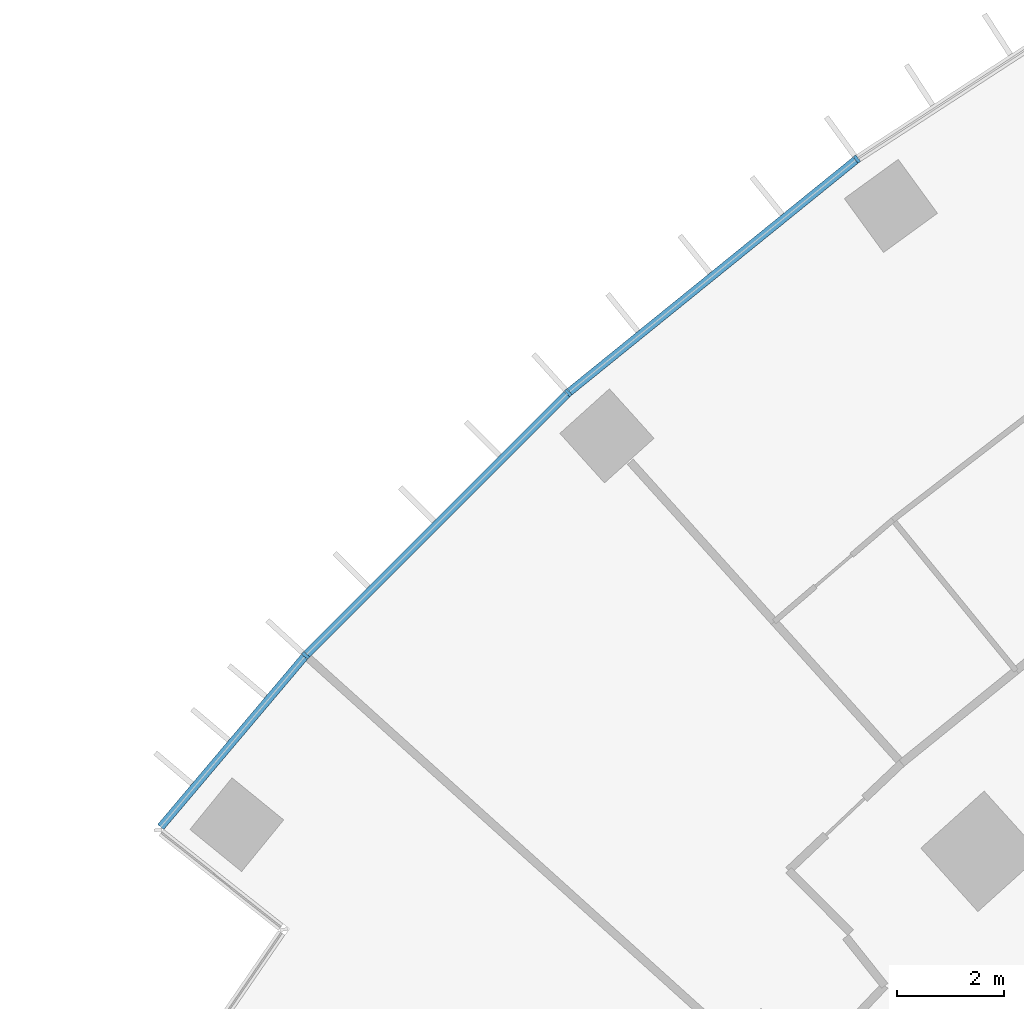
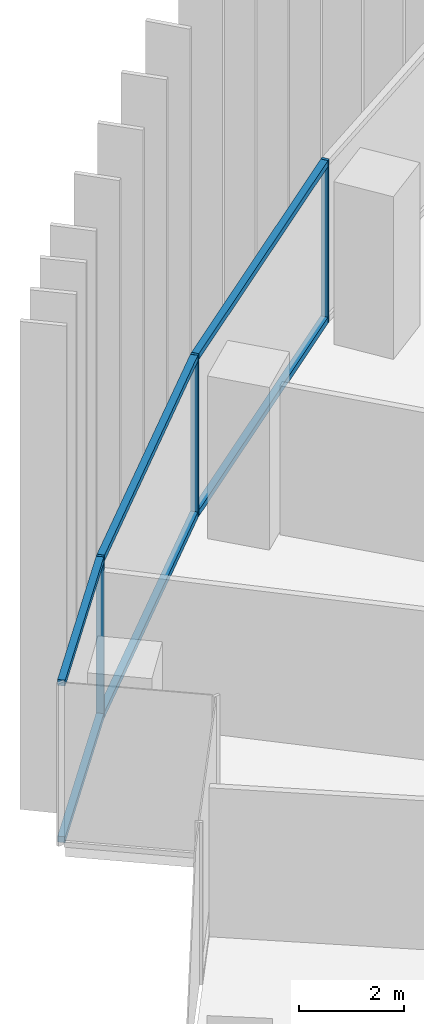
# One storey, part 4 of 24: 9 members, 1 element without a shape of its own.
"""IFC4 building model written with IfcOpenShell, lengths in metres."""

import ifcopenshell
import ifcopenshell.guid

model = None  # the IFC model being written
_history = None  # IfcOwnerHistory: only IFC2X3 demands one
_inside = {}  # id of a spatial element -> (the spatial element, [elements in it])
_under = {}  # id of a project, library or spatial element -> (it, [spatial elements below it])
_declared = {}  # id of a project -> (the project, [libraries it declares])
_typed = {}  # id of a type object -> (the type object, [elements of that type])
_made_of = {}  # id of a material, layer set ... -> (it, [elements and type objects made of it])


def new_model(schema):
    """Start an empty IFC model of exactly this schema.

    Asked for "IFC4X3", IfcOpenShell would pick the latest addendum, in which some entities
    have other attributes; the version numbers below select the first issue.
    IFC2X3 requires an IfcOwnerHistory on every rooted entity: one is made here for all.
    """
    global model, _history
    if schema == "IFC4X3":
        model = ifcopenshell.file(schema_version=(4, 3, 0, 0))
    else:
        model = ifcopenshell.file(schema=schema)
    _inside.clear()
    _under.clear()
    _declared.clear()
    _typed.clear()
    _made_of.clear()
    _history = None
    if model.schema == "IFC2X3":
        org = make("IfcOrganization", Name="unknown")
        user = make(
            "IfcPersonAndOrganization",
            ThePerson=make("IfcPerson", FamilyName="unknown"),
            TheOrganization=org,
        )
        app = make(
            "IfcApplication",
            ApplicationDeveloper=org,
            Version="unknown",
            ApplicationFullName="unknown",
            ApplicationIdentifier="unknown",
        )
        _history = make(
            "IfcOwnerHistory",
            OwningUser=user,
            OwningApplication=app,
            ChangeAction="ADDED",
            CreationDate=0,
        )
    return model


def make(cls, **values):
    """One entity of the class cls with the attributes given. An attribute that is None is left unset."""
    return model.create_entity(
        cls, **{name: value for name, value in values.items() if value is not None}
    )


def rooted(cls, **values):
    """An entity with a GlobalId (a new one), such as an element, a storey or a relation."""
    return make(cls, GlobalId=ifcopenshell.guid.new(), OwnerHistory=_history, **values)


def si_unit(unit_type, name, prefix=None):
    """IfcSIUnit, for example si_unit("LENGTHUNIT", "METRE", prefix="MILLI")."""
    return make("IfcSIUnit", UnitType=unit_type, Prefix=prefix, Name=name)


def assignment(units):
    """IfcUnitAssignment: the units of a project."""
    return None if units is None else make("IfcUnitAssignment", Units=units)


def point(xyz):
    """IfcCartesianPoint."""
    return None if xyz is None else make("IfcCartesianPoint", Coordinates=xyz)


def direction(xyz):
    """IfcDirection."""
    return None if xyz is None else make("IfcDirection", DirectionRatios=xyz)


def frame(location, z_axis=None, x_axis=None):
    """IfcAxis2Placement3D, a coordinate frame: its origin and axes. An axis left out is left unset."""
    return make(
        "IfcAxis2Placement3D",
        Location=point(location),
        Axis=direction(z_axis),
        RefDirection=direction(x_axis),
    )


def frame_2d(location, x_axis=None):
    """IfcAxis2Placement2D, a coordinate frame in the plane: its origin and x axis."""
    return make(
        "IfcAxis2Placement2D", Location=point(location), RefDirection=direction(x_axis)
    )


def origin():
    """The frame at (0, 0, 0) with its axes left unset."""
    return frame((0.0, 0.0, 0.0))


def origin_2d():
    """The frame at (0, 0) in the plane with its x axis left unset."""
    return frame_2d((0.0, 0.0))


def place(relative_to, where):
    """IfcLocalPlacement: puts the frame where relative to a parent placement (None: the world)."""
    return make(
        "IfcLocalPlacement", PlacementRelTo=relative_to, RelativePlacement=where
    )


def context(
    kind, dimensions, precision=None, world=None, true_north=None, identifier=None
):
    """IfcGeometricRepresentationContext, for example the 3D "Model" context."""
    return make(
        "IfcGeometricRepresentationContext",
        ContextIdentifier=identifier,
        ContextType=kind,
        CoordinateSpaceDimension=dimensions,
        Precision=precision,
        WorldCoordinateSystem=world,
        TrueNorth=true_north,
    )


def subcontext(parent, identifier, kind, view, scale=None):
    """IfcGeometricRepresentationSubContext, for example "Body" below "Model"."""
    return make(
        "IfcGeometricRepresentationSubContext",
        ContextIdentifier=identifier,
        ContextType=kind,
        ParentContext=parent,
        TargetScale=scale,
        TargetView=view,
    )


def project(units=None, contexts=None):
    """IfcProject with its units and contexts."""
    return rooted(
        "IfcProject",
        Name="project",
        RepresentationContexts=contexts,
        UnitsInContext=assignment(units),
    )


def spatial(cls, under=None, at=None, **own):
    """A site, building, storey or space (cls), placed at a placement, below another one or the project."""
    s = rooted(cls, ObjectPlacement=at, **own)
    if under is not None:
        _under.setdefault(under.id(), (under, []))[1].append(s)
    return s


def profile(cls, at=None, kind="AREA", **sizes):
    """A parametric profile (cls). Its sizes go by their IFC names, for example OverallWidth=200.0."""
    return make(cls, ProfileType=kind, Position=at, **sizes)


def rectangle(**sizes):
    """IfcRectangleProfileDef."""
    return profile("IfcRectangleProfileDef", **sizes)


def extrude(swept, where, along, depth):
    """IfcExtrudedAreaSolid: the profile swept, set in the frame where, extruded along a direction by depth."""
    return make(
        "IfcExtrudedAreaSolid",
        SweptArea=swept,
        Position=where,
        ExtrudedDirection=direction(along),
        Depth=depth,
    )


def shape(context_of_items, identifier, shape_type, items):
    """IfcShapeRepresentation: the items that make up one representation, for example the "Body"."""
    return make(
        "IfcShapeRepresentation",
        ContextOfItems=context_of_items,
        RepresentationIdentifier=identifier,
        RepresentationType=shape_type,
        Items=items,
    )


def material(Name=None, Category=None):
    """IfcMaterial."""
    return make("IfcMaterial", Name=Name, Category=Category)


def layer(
    of_material, thickness, ventilated=None, Name=None, Category=None, Priority=None
):
    """IfcMaterialLayer: one layer of a wall or slab, of a material (None: an air gap)."""
    return make(
        "IfcMaterialLayer",
        Material=of_material,
        LayerThickness=thickness,
        IsVentilated=ventilated,
        Name=Name,
        Category=Category,
        Priority=Priority,
    )


def layer_set(layers, Name=None):
    """IfcMaterialLayerSet."""
    return make("IfcMaterialLayerSet", MaterialLayers=layers, LayerSetName=Name)


def material_profile(
    of_material, cross_section, Name=None, Category=None, Priority=None
):
    """IfcMaterialProfile: a cross section and its material."""
    return make(
        "IfcMaterialProfile",
        Name=Name,
        Material=of_material,
        Profile=cross_section,
        Priority=Priority,
        Category=Category,
    )


def profile_set(profiles, Name=None, composite=None):
    """IfcMaterialProfileSet."""
    return make(
        "IfcMaterialProfileSet",
        Name=Name,
        MaterialProfiles=profiles,
        CompositeProfile=composite,
    )


def made_of(thing, what):
    """Note that an element or type object is made of a material, layer set ...; save() writes the relation."""
    if what is not None:
        _made_of.setdefault(what.id(), (what, []))[1].append(thing)
    return thing


def type_object(cls, material=None, **own):
    """A type object (cls), such as IfcWallType, which elements share."""
    return made_of(rooted(cls, **own), material)


def element(
    cls,
    number,
    at=None,
    inside=None,
    cuts=None,
    type_object=None,
    material=None,
    context=None,
    identifier="Body",
    shape_type=None,
    held_by="IfcProductDefinitionShape",
    body=None,
    shapes=None,
    **own,
):
    """One element of the class cls, such as IfcWall. Its Tag is "e" and its number.

    at: its placement. inside: the storey or other place that contains it. cuts: it is an
    opening in that element (IfcRelVoidsElement). A single representation is given by context,
    identifier, shape_type and body (its items); several are given by shapes. held_by: the class
    of the entity that holds the representations. save() writes the other relations.
    """
    e = rooted(cls, Tag="e%d" % number, ObjectPlacement=at, **own)
    if body is not None:
        shapes = [shape(context, identifier, shape_type, body)]
    if shapes is not None:
        e.Representation = make(held_by, Representations=shapes)
    if inside is not None:
        _inside.setdefault(inside.id(), (inside, []))[1].append(e)
    if cuts is not None:
        rooted(
            "IfcRelVoidsElement", RelatingBuildingElement=cuts, RelatedOpeningElement=e
        )
    if type_object is not None:
        _typed.setdefault(type_object.id(), (type_object, []))[1].append(e)
    return made_of(e, material)


def aggregate(whole, parts):
    """IfcRelAggregates: a whole, such as a stair, and the parts it consists of."""
    return rooted("IfcRelAggregates", RelatingObject=whole, RelatedObjects=parts)


def save(model, path):
    """Write the relations noted so far, then the file.

    IfcRelAggregates (storeys below a building ...), IfcRelContainedInSpatialStructure (elements
    in a storey), IfcRelDefinesByType, IfcRelAssociatesMaterial and IfcRelDeclares: one each for
    every whole, place, type object, material and project.
    """
    for whole, parts in _under.values():
        aggregate(whole, parts)
    for where, things in _inside.values():
        rooted(
            "IfcRelContainedInSpatialStructure",
            RelatedElements=things,
            RelatingStructure=where,
        )
    for kind, things in _typed.values():
        rooted("IfcRelDefinesByType", RelatedObjects=things, RelatingType=kind)
    for what, things in _made_of.values():
        rooted("IfcRelAssociatesMaterial", RelatedObjects=things, RelatingMaterial=what)
    for by, libraries in _declared.values():
        rooted("IfcRelDeclares", RelatingContext=by, RelatedDefinitions=libraries)
    model.write(path)


model = new_model("IFC4")

# Units and contexts
model_context = context("Model", 3, precision=1e-05, world=origin(), true_north=direction((0.0, 1.0)))
body_context = subcontext(model_context, "Body", "Model", "MODEL_VIEW")
ifc_project = project(units=[si_unit("LENGTHUNIT", "METRE"), si_unit("AREAUNIT", "SQUARE_METRE"), si_unit("VOLUMEUNIT", "CUBIC_METRE"), si_unit("PLANEANGLEUNIT", "RADIAN"), si_unit("MASSUNIT", "GRAM", prefix="KILO")], contexts=[model_context])

# Site, building, storey
site_placement = place(None, origin())
site = spatial("IfcSite", under=ifc_project, at=site_placement, CompositionType="ELEMENT")
building_placement = place(site_placement, origin())
building = spatial("IfcBuilding", under=site, at=building_placement, Name="Stone Belt Terrace Tower", CompositionType="ELEMENT")
storey_placement = place(building_placement, frame((0.0, 0.0, 41.39990234375)))
storey = spatial("IfcBuildingStorey", under=building, at=storey_placement, Name="L09", CompositionType="ELEMENT", Elevation=41.39990234375)

# Curtain wall, members
ifc_material = material(Name="Aluminium 6063-T6 anodised frame", Category="aluminium")
ifc_layer = layer(ifc_material, 0.14990234375)
ifc_layer_set = layer_set([ifc_layer], Name="CW-A unitised convex-face curtain wall")
curtain_wall_type = type_object("IfcCurtainWallType", Name="CW-A unitised convex-face curtain wall", PredefinedType="NOTDEFINED", material=ifc_layer_set)
curtain_wall_placement = place(storey_placement, origin())
curtain_wall = element("IfcCurtainWall", 1, at=curtain_wall_placement, inside=storey, type_object=curtain_wall_type, Name="CW-A convex face L09", PredefinedType="NOTDEFINED")
ifc_material_profile_1 = material_profile(ifc_material, rectangle(XDim=0.14990234375, YDim=0.06005859375, at=origin_2d()), Name="Aluminium 6063-T6 60x150")
ifc_profile_set_1 = profile_set([ifc_material_profile_1], Name="Aluminium 6063-T6 anodised frame")
member_type_1 = type_object("IfcMemberType", Name="CW-A mullion 60 x 150", PredefinedType="MULLION", material=ifc_profile_set_1)
member_1_placement = place(storey_placement, frame((-39.1318359375, 53.8603515625, 0.0), z_axis=(0.0, 0.0, 1.0), x_axis=(0.587785252292, -0.809016994375, 0.0)))
member_1 = element("IfcMember", 2, at=member_1_placement, type_object=member_type_1, Name="CW-A mullion 16", PredefinedType="MULLION", context=body_context, shape_type="SweptSolid", body=[
    extrude(rectangle(XDim=0.14990234375, YDim=0.06005859375, at=origin_2d()), origin(), (0.0, 0.0, 1.0), 3.800048828125),
])
member_2_placement = place(storey_placement, frame((-44.54736328125, 49.474853515625, 0.0), z_axis=(0.0, 0.0, 1.0), x_axis=(0.669130606359, -0.743144825477, 0.0)))
member_2 = element("IfcMember", 3, at=member_2_placement, type_object=member_type_1, Name="CW-A mullion 17", PredefinedType="MULLION", context=body_context, shape_type="SweptSolid", body=[
    extrude(rectangle(XDim=0.14990234375, YDim=0.06005859375, at=origin_2d()), origin(), (0.0, 0.0, 1.0), 3.800048828125),
])
member_3_placement = place(storey_placement, frame((-49.474365234375, 44.548095703125, 0.0), z_axis=(0.0, 0.0, 1.0), x_axis=(0.73617076011, -0.676795842155, 0.0)))
member_3 = element("IfcMember", 4, at=member_3_placement, type_object=member_type_1, Name="CW-A mullion 18", PredefinedType="MULLION", context=body_context, shape_type="SweptSolid", body=[
    extrude(rectangle(XDim=0.14990234375, YDim=0.06005859375, at=origin_2d()), origin(), (0.0, 0.0, 1.0), 3.800048828125),
])
ifc_material_profile_2 = material_profile(ifc_material, rectangle(XDim=0.14990234375, YDim=0.139892578125, at=origin_2d()), Name="Aluminium 6063-T6 150x140")
ifc_profile_set_2 = profile_set([ifc_material_profile_2], Name="Aluminium 6063-T6 anodised frame")
member_type_2 = type_object("IfcMemberType", Name="CW-A transom 140 x 150", PredefinedType="USERDEFINED", material=ifc_profile_set_2)
member_4_placement = place(storey_placement, frame((-39.158203125, 53.839111328125, 0.070068359375), z_axis=(-0.777141048626, -0.629326457842, 0.0), x_axis=(0.629326457842, -0.777141048626, 0.0)))
member_4 = element("IfcMember", 5, at=member_4_placement, type_object=member_type_2, Name="CW-A transom 16.1", ObjectType="TRANSOM", PredefinedType="USERDEFINED", context=body_context, shape_type="SweptSolid", body=[
    extrude(rectangle(XDim=0.14990234375, YDim=0.139892578125, at=origin_2d()), origin(), (0.0, 0.0, 1.0), 6.900634765625),
])
member_5_placement = place(storey_placement, frame((-39.158203125, 53.839111328125, 3.72998046875), z_axis=(-0.777141048626, -0.629326457842, 0.0), x_axis=(0.629326457842, -0.777141048626, 0.0)))
member_5 = element("IfcMember", 6, at=member_5_placement, type_object=member_type_2, Name="CW-A transom 16.2", ObjectType="TRANSOM", PredefinedType="USERDEFINED", context=body_context, shape_type="SweptSolid", body=[
    extrude(rectangle(XDim=0.14990234375, YDim=0.139892578125, at=origin_2d()), origin(), (0.0, 0.0, 1.0), 6.900634765625),
])
member_6_placement = place(storey_placement, frame((-44.5712890625, 49.450927734375, 0.070068359375), z_axis=(-0.707106781187, -0.707106781187, 0.0), x_axis=(0.707106781187, -0.707106781187, 0.0)))
member_6 = element("IfcMember", 7, at=member_6_placement, type_object=member_type_2, Name="CW-A transom 17.1", ObjectType="TRANSOM", PredefinedType="USERDEFINED", context=body_context, shape_type="SweptSolid", body=[
    extrude(rectangle(XDim=0.14990234375, YDim=0.139892578125, at=origin_2d()), origin(), (0.0, 0.0, 1.0), 6.90087890625),
])
member_7_placement = place(storey_placement, frame((-44.5712890625, 49.450927734375, 3.72998046875), z_axis=(-0.707106781187, -0.707106781187, 0.0), x_axis=(0.707106781187, -0.707106781187, 0.0)))
member_7 = element("IfcMember", 8, at=member_7_placement, type_object=member_type_2, Name="CW-A transom 17.2", ObjectType="TRANSOM", PredefinedType="USERDEFINED", context=body_context, shape_type="SweptSolid", body=[
    extrude(rectangle(XDim=0.14990234375, YDim=0.139892578125, at=origin_2d()), origin(), (0.0, 0.0, 1.0), 6.90087890625),
])
member_8_placement = place(storey_placement, frame((-49.495849609375, 44.522705078125, 0.070068359375), z_axis=(-0.645289935316, -0.763937758839, 0.0), x_axis=(0.763937758839, -0.645289935316, 0.0)))
member_8 = element("IfcMember", 9, at=member_8_placement, type_object=member_type_2, Name="CW-A transom 18.1", ObjectType="TRANSOM", PredefinedType="USERDEFINED", context=body_context, shape_type="SweptSolid", body=[
    extrude(rectangle(XDim=0.14990234375, YDim=0.139892578125, at=origin_2d()), origin(), (0.0, 0.0, 1.0), 4.17919921875),
])
member_9_placement = place(storey_placement, frame((-49.495849609375, 44.522705078125, 3.72998046875), z_axis=(-0.645289935316, -0.763937758839, 0.0), x_axis=(0.763937758839, -0.645289935316, 0.0)))
member_9 = element("IfcMember", 10, at=member_9_placement, type_object=member_type_2, Name="CW-A transom 18.2", ObjectType="TRANSOM", PredefinedType="USERDEFINED", context=body_context, shape_type="SweptSolid", body=[
    extrude(rectangle(XDim=0.14990234375, YDim=0.139892578125, at=origin_2d()), origin(), (0.0, 0.0, 1.0), 4.17919921875),
])
aggregate(curtain_wall, [member_1, member_2, member_3, member_4, member_5, member_6, member_7, member_8, member_9])

save(model, "model.ifc")
